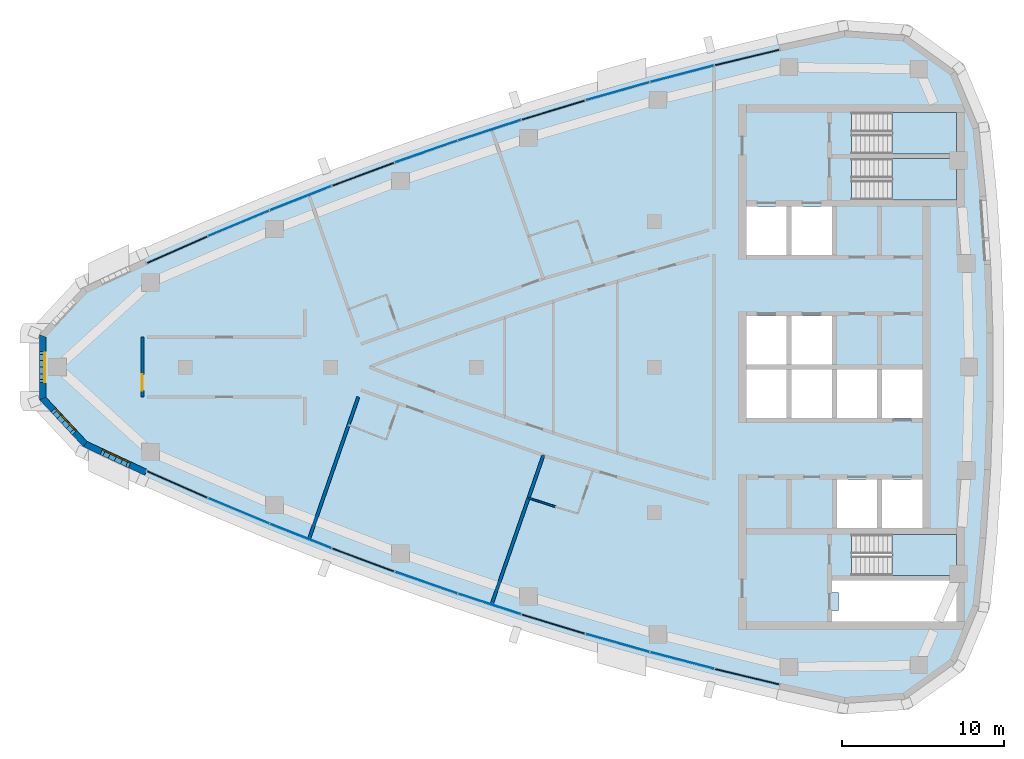
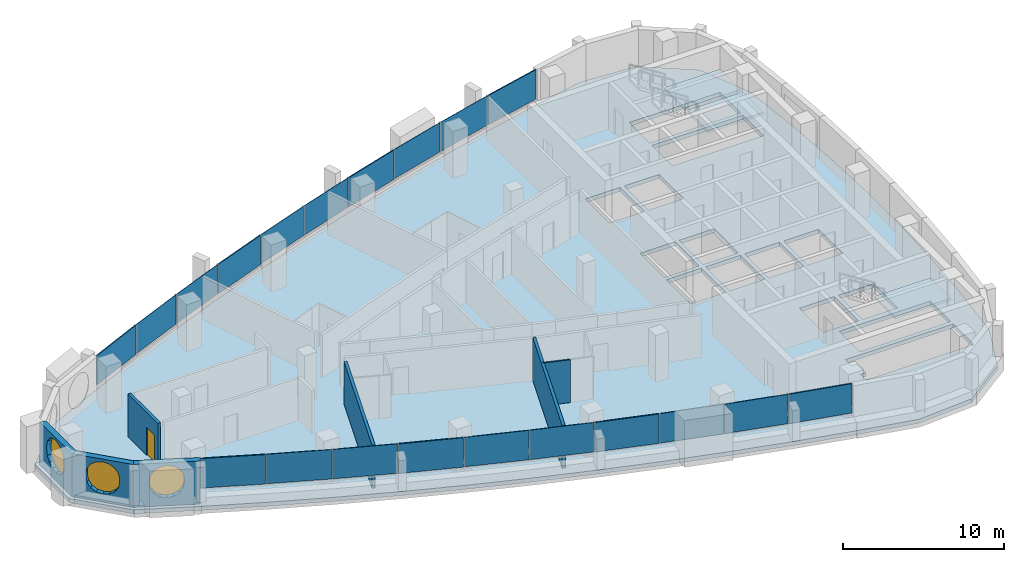
# One storey, part 6 of 14: 20 plates, 7 walls, 4 slabs, 3 windows, 1 door, 5 openings, 13 elements without a shape of their own.
"""IFC4 building model written with IfcOpenShell, lengths in metres."""

from ifc_helpers import new_model, si_unit, direction, frame, frame_2d, origin, origin_2d, place, context, subcontext, project, spatial, polyline, rectangle, outline, extrude, material, layer, layer_set, type_object, element, fill, aggregate, save


model = new_model("IFC4")

# Units and contexts
model_context = context("Model", 3, precision=1e-05, world=origin(), true_north=direction((0.0, 1.0)))
body_context = subcontext(model_context, "Body", "Model", "MODEL_VIEW")
ifc_project = project(units=[si_unit("LENGTHUNIT", "METRE"), si_unit("AREAUNIT", "SQUARE_METRE"), si_unit("VOLUMEUNIT", "CUBIC_METRE"), si_unit("PLANEANGLEUNIT", "RADIAN"), si_unit("MASSUNIT", "GRAM", prefix="KILO")], contexts=[model_context])

# Site, building, storey
site_placement = place(None, origin())
site = spatial("IfcSite", under=ifc_project, at=site_placement, CompositionType="ELEMENT")
building_placement = place(site_placement, origin())
building = spatial("IfcBuilding", under=site, at=building_placement, Name="Ostrand Prow Hotel Tower", CompositionType="ELEMENT")
storey_placement = place(building_placement, frame((0.0, 0.0, 278.550048828125)))
storey = spatial("IfcBuildingStorey", under=building, at=storey_placement, Name="L70", CompositionType="ELEMENT", Elevation=278.550048828125)

# Curtain wall, plate
ifc_material_1 = material(Name="Insulated glass in bronze anodised frame", Category="glass")
ifc_layer_1 = layer(ifc_material_1, 0.199951171875)
ifc_layer_set_1 = layer_set([ifc_layer_1], Name="Insulated glass in bronze anodised frame")
curtain_wall_type = type_object("IfcCurtainWallType", Name="Strip curtain wall, fritted glass over bronze spandrel", PredefinedType="NOTDEFINED", material=ifc_layer_set_1)
curtain_wall_1_placement = place(storey_placement, origin())
curtain_wall_1 = element("IfcCurtainWall", 1, at=curtain_wall_1_placement, inside=storey, type_object=curtain_wall_type, Name="CW1 run CWS1", PredefinedType="NOTDEFINED")
ifc_material_2 = material(Name="Ceramic-fritted glass", Category="glass")
ifc_layer_2 = layer(ifc_material_2, 0.031982421875)
ifc_layer_set_2 = layer_set([ifc_layer_2], Name="Ceramic-fritted glass")
plate_type_1 = type_object("IfcPlateType", Name="Dot-fritted ceramic glass unit 32 mm", PredefinedType="CURTAIN_PANEL", material=ifc_layer_set_2)
plate_1_placement = place(storey_placement, frame((19.297119140625, -8.893798828125, 1.02001953125), z_axis=(0.0, 0.0, 1.0), x_axis=(0.922719840955, -0.385471263659, 0.0)))
plate_1 = element("IfcPlate", 2, at=plate_1_placement, type_object=plate_type_1, Name="CW1 PN-D panel 2.2", PredefinedType="CURTAIN_PANEL", context=body_context, shape_type="SweptSolid", body=[
    extrude(rectangle(XDim=4.079833984375, YDim=0.031982421875, at=origin_2d()), origin(), (0.0, 0.0, 1.0), 2.22998046875),
])

curtain_wall_2_placement = place(storey_placement, origin())
curtain_wall_2 = element("IfcCurtainWall", 3, at=curtain_wall_2_placement, inside=storey, type_object=curtain_wall_type, Name="CW1 run CWS2", PredefinedType="NOTDEFINED")
plate_2_placement = place(storey_placement, frame((23.132568359375, -10.450927734375, 1.02001953125), z_axis=(0.0, 0.0, 1.0), x_axis=(0.930281895249, -0.366845465248, 0.0)))
plate_2 = element("IfcPlate", 4, at=plate_2_placement, type_object=plate_type_1, Name="CW1 PN-D panel 1.2", PredefinedType="CURTAIN_PANEL", context=body_context, shape_type="SweptSolid", body=[
    extrude(rectangle(XDim=4.079833984375, YDim=0.031982421875, at=origin_2d()), origin(), (0.0, 0.0, 1.0), 2.22998046875),
])

# Curtain wall, plates
curtain_wall_3_placement = place(storey_placement, origin())
curtain_wall_3 = element("IfcCurtainWall", 5, at=curtain_wall_3_placement, inside=storey, type_object=curtain_wall_type, Name="CW1 run CWS3", PredefinedType="NOTDEFINED")
plate_3_placement = place(storey_placement, frame((30.8935546875, -13.33251953125, 1.02001953125), z_axis=(0.0, 0.0, 1.0), x_axis=(0.944274730614, -0.329158370885, 0.0)))
plate_3 = element("IfcPlate", 6, at=plate_3_placement, type_object=plate_type_1, Name="CW1 PN-D panel 1.2", PredefinedType="CURTAIN_PANEL", context=body_context, shape_type="SweptSolid", body=[
    extrude(rectangle(XDim=4.079833984375, YDim=0.031982421875, at=origin_2d()), origin(), (0.0, 0.0, 1.0), 2.22998046875),
])
plate_4_placement = place(storey_placement, frame((34.81591796875, -14.65576171875, 1.02001953125), z_axis=(0.0, 0.0, 1.0), x_axis=(0.950700464612, -0.310110668289, 0.0)))
plate_4 = element("IfcPlate", 7, at=plate_4_placement, type_object=plate_type_1, Name="CW1 PN-D panel 2.2", PredefinedType="CURTAIN_PANEL", context=body_context, shape_type="SweptSolid", body=[
    extrude(rectangle(XDim=4.079833984375, YDim=0.031982421875, at=origin_2d()), origin(), (0.0, 0.0, 1.0), 2.22998046875),
])
aggregate(curtain_wall_3, [plate_3, plate_4])

# Curtain wall, plate
curtain_wall_4_placement = place(storey_placement, origin())
curtain_wall_4 = element("IfcCurtainWall", 8, at=curtain_wall_4_placement, inside=storey, type_object=curtain_wall_type, Name="CW1 run CWS4", PredefinedType="NOTDEFINED")
plate_5_placement = place(storey_placement, frame((42.736572265625, -17.064453125, 1.02001953125), z_axis=(0.0, 0.0, 1.0), x_axis=(0.962396468548, -0.271648738865, 0.0)))
plate_5 = element("IfcPlate", 9, at=plate_5_placement, type_object=plate_type_1, Name="CW1 PN-D panel 2.2", PredefinedType="CURTAIN_PANEL", context=body_context, shape_type="SweptSolid", body=[
    extrude(rectangle(XDim=4.079833984375, YDim=0.031982421875, at=origin_2d()), origin(), (0.0, 0.0, 1.0), 2.22998046875),
])

curtain_wall_5_placement = place(storey_placement, origin())
curtain_wall_5 = element("IfcCurtainWall", 10, at=curtain_wall_5_placement, inside=storey, type_object=curtain_wall_type, Name="CW1 run CWS5", PredefinedType="NOTDEFINED")
plate_6_placement = place(storey_placement, frame((46.731689453125, -18.148681640625, 1.02001953125), z_axis=(0.0, 0.0, 1.0), x_axis=(0.967662519855, -0.252248384867, 0.0)))
plate_6 = element("IfcPlate", 11, at=plate_6_placement, type_object=plate_type_1, Name="CW1 PN-D panel 1.2", PredefinedType="CURTAIN_PANEL", context=body_context, shape_type="SweptSolid", body=[
    extrude(rectangle(XDim=4.079833984375, YDim=0.031982421875, at=origin_2d()), origin(), (0.0, 0.0, 1.0), 2.22998046875),
])

curtain_wall_6_placement = place(storey_placement, origin())
curtain_wall_6 = element("IfcCurtainWall", 12, at=curtain_wall_6_placement, inside=storey, type_object=curtain_wall_type, Name="CW1 run CWN1", PredefinedType="NOTDEFINED")
plate_7_placement = place(storey_placement, frame((46.731689453125, 18.148681640625, 1.02001953125), z_axis=(0.0, 0.0, 1.0), x_axis=(-0.967662519855, -0.252248384867, 0.0)))
plate_7 = element("IfcPlate", 13, at=plate_7_placement, type_object=plate_type_1, Name="CW1 PN-D panel 2.2", PredefinedType="CURTAIN_PANEL", context=body_context, shape_type="SweptSolid", body=[
    extrude(rectangle(XDim=4.079833984375, YDim=0.031982421875, at=origin_2d()), origin(), (0.0, 0.0, 1.0), 2.22998046875),
])

curtain_wall_7_placement = place(storey_placement, origin())
curtain_wall_7 = element("IfcCurtainWall", 14, at=curtain_wall_7_placement, inside=storey, type_object=curtain_wall_type, Name="CW1 run CWN2", PredefinedType="NOTDEFINED")
plate_8_placement = place(storey_placement, frame((42.736572265625, 17.064453125, 1.02001953125), z_axis=(0.0, 0.0, 1.0), x_axis=(-0.962396468548, -0.271648738865, 0.0)))
plate_8 = element("IfcPlate", 15, at=plate_8_placement, type_object=plate_type_1, Name="CW1 PN-D panel 1.2", PredefinedType="CURTAIN_PANEL", context=body_context, shape_type="SweptSolid", body=[
    extrude(rectangle(XDim=4.079833984375, YDim=0.031982421875, at=origin_2d()), origin(), (0.0, 0.0, 1.0), 2.22998046875),
])

# Curtain wall, plates
curtain_wall_8_placement = place(storey_placement, origin())
curtain_wall_8 = element("IfcCurtainWall", 16, at=curtain_wall_8_placement, inside=storey, type_object=curtain_wall_type, Name="CW1 run CWN3", PredefinedType="NOTDEFINED")
plate_9_placement = place(storey_placement, frame((34.81591796875, 14.65576171875, 1.02001953125), z_axis=(0.0, 0.0, 1.0), x_axis=(-0.950700464612, -0.310110668289, 0.0)))
plate_9 = element("IfcPlate", 17, at=plate_9_placement, type_object=plate_type_1, Name="CW1 PN-D panel 1.2", PredefinedType="CURTAIN_PANEL", context=body_context, shape_type="SweptSolid", body=[
    extrude(rectangle(XDim=4.079833984375, YDim=0.031982421875, at=origin_2d()), origin(), (0.0, 0.0, 1.0), 2.22998046875),
])
plate_10_placement = place(storey_placement, frame((30.8935546875, 13.33251953125, 1.02001953125), z_axis=(0.0, 0.0, 1.0), x_axis=(-0.944274730614, -0.329158370885, 0.0)))
plate_10 = element("IfcPlate", 18, at=plate_10_placement, type_object=plate_type_1, Name="CW1 PN-D panel 2.2", PredefinedType="CURTAIN_PANEL", context=body_context, shape_type="SweptSolid", body=[
    extrude(rectangle(XDim=4.079833984375, YDim=0.031982421875, at=origin_2d()), origin(), (0.0, 0.0, 1.0), 2.22998046875),
])
aggregate(curtain_wall_8, [plate_9, plate_10])

# Curtain wall, plate
curtain_wall_9_placement = place(storey_placement, origin())
curtain_wall_9 = element("IfcCurtainWall", 19, at=curtain_wall_9_placement, inside=storey, type_object=curtain_wall_type, Name="CW1 run CWN4", PredefinedType="NOTDEFINED")
plate_11_placement = place(storey_placement, frame((23.132568359375, 10.450927734375, 1.02001953125), z_axis=(0.0, 0.0, 1.0), x_axis=(-0.930281895249, -0.366845465248, 0.0)))
plate_11 = element("IfcPlate", 20, at=plate_11_placement, type_object=plate_type_1, Name="CW1 PN-D panel 2.2", PredefinedType="CURTAIN_PANEL", context=body_context, shape_type="SweptSolid", body=[
    extrude(rectangle(XDim=4.079833984375, YDim=0.031982421875, at=origin_2d()), origin(), (0.0, 0.0, 1.0), 2.22998046875),
])

curtain_wall_10_placement = place(storey_placement, origin())
curtain_wall_10 = element("IfcCurtainWall", 21, at=curtain_wall_10_placement, inside=storey, type_object=curtain_wall_type, Name="CW1 run CWN5", PredefinedType="NOTDEFINED")
plate_12_placement = place(storey_placement, frame((19.297119140625, 8.893798828125, 1.02001953125), z_axis=(0.0, 0.0, 1.0), x_axis=(-0.922719840955, -0.385471263659, 0.0)))
plate_12 = element("IfcPlate", 22, at=plate_12_placement, type_object=plate_type_1, Name="CW1 PN-D panel 1.2", PredefinedType="CURTAIN_PANEL", context=body_context, shape_type="SweptSolid", body=[
    extrude(rectangle(XDim=4.079833984375, YDim=0.031982421875, at=origin_2d()), origin(), (0.0, 0.0, 1.0), 2.22998046875),
])

# Plate
ifc_material_3 = material(Name="Fritted glass in bronze vent frame", Category="glass")
ifc_layer_3 = layer(ifc_material_3, 0.080078125)
ifc_layer_set_3 = layer_set([ifc_layer_3], Name="Fritted glass in bronze vent frame")
plate_type_2 = type_object("IfcPlateType", Name="Operable vent panel 80 mm", PredefinedType="CURTAIN_PANEL", material=ifc_layer_set_3)
plate_13_placement = place(storey_placement, frame((15.493408203125, -7.259765625, 1.02001953125), z_axis=(0.0, 0.0, 1.0), x_axis=(0.914785615941, -0.403939694592, 0.0)))
plate_13 = element("IfcPlate", 23, at=plate_13_placement, type_object=plate_type_2, Name="CW1 PN-O2 panel 1.2", PredefinedType="CURTAIN_PANEL", context=body_context, shape_type="SweptSolid", body=[
    extrude(rectangle(XDim=4.079833984375, YDim=0.080078125, at=origin_2d()), origin(), (0.0, 0.0, 1.0), 2.22998046875),
])

aggregate(curtain_wall_1, [plate_13, plate_1])

plate_14_placement = place(storey_placement, frame((26.99853515625, -11.930908203125, 1.02001953125), z_axis=(0.0, 0.0, 1.0), x_axis=(0.937468017947, -0.348071422738, 0.0)))
plate_14 = element("IfcPlate", 24, at=plate_14_placement, type_object=plate_type_2, Name="CW1 PN-O2 panel 2.2", PredefinedType="CURTAIN_PANEL", context=body_context, shape_type="SweptSolid", body=[
    extrude(rectangle(XDim=4.079833984375, YDim=0.080078125, at=origin_2d()), origin(), (0.0, 0.0, 1.0), 2.22998046875),
])

aggregate(curtain_wall_2, [plate_2, plate_14])

plate_15_placement = place(storey_placement, frame((38.76416015625, -15.89990234375, 1.02001953125), z_axis=(0.0, 0.0, 1.0), x_axis=(0.956742015769, -0.290937648411, 0.0)))
plate_15 = element("IfcPlate", 25, at=plate_15_placement, type_object=plate_type_2, Name="CW1 PN-O2 panel 1.2", PredefinedType="CURTAIN_PANEL", context=body_context, shape_type="SweptSolid", body=[
    extrude(rectangle(XDim=4.079833984375, YDim=0.080078125, at=origin_2d()), origin(), (0.0, 0.0, 1.0), 2.22998046875),
])

aggregate(curtain_wall_4, [plate_15, plate_5])

plate_16_placement = place(storey_placement, frame((50.74755859375, -19.152587890625, 1.02001953125), z_axis=(0.0, 0.0, 1.0), x_axis=(0.972537533869, -0.232746096028, 0.0)))
plate_16 = element("IfcPlate", 26, at=plate_16_placement, type_object=plate_type_2, Name="CW1 PN-O2 panel 2.2", PredefinedType="CURTAIN_PANEL", context=body_context, shape_type="SweptSolid", body=[
    extrude(rectangle(XDim=4.079833984375, YDim=0.080078125, at=origin_2d()), origin(), (0.0, 0.0, 1.0), 2.22998046875),
])

aggregate(curtain_wall_5, [plate_6, plate_16])

plate_17_placement = place(storey_placement, frame((50.74755859375, 19.152587890625, 1.02001953125), z_axis=(0.0, 0.0, 1.0), x_axis=(-0.972537533869, -0.232746096028, 0.0)))
plate_17 = element("IfcPlate", 27, at=plate_17_placement, type_object=plate_type_2, Name="CW1 PN-O2 panel 1.2", PredefinedType="CURTAIN_PANEL", context=body_context, shape_type="SweptSolid", body=[
    extrude(rectangle(XDim=4.079833984375, YDim=0.080078125, at=origin_2d()), origin(), (0.0, 0.0, 1.0), 2.22998046875),
])

aggregate(curtain_wall_6, [plate_17, plate_7])

plate_18_placement = place(storey_placement, frame((38.76416015625, 15.89990234375, 1.02001953125), z_axis=(0.0, 0.0, 1.0), x_axis=(-0.956742015769, -0.290937648411, 0.0)))
plate_18 = element("IfcPlate", 28, at=plate_18_placement, type_object=plate_type_2, Name="CW1 PN-O2 panel 2.2", PredefinedType="CURTAIN_PANEL", context=body_context, shape_type="SweptSolid", body=[
    extrude(rectangle(XDim=4.079833984375, YDim=0.080078125, at=origin_2d()), origin(), (0.0, 0.0, 1.0), 2.22998046875),
])

aggregate(curtain_wall_7, [plate_8, plate_18])

plate_19_placement = place(storey_placement, frame((26.99853515625, 11.930908203125, 1.02001953125), z_axis=(0.0, 0.0, 1.0), x_axis=(-0.937468017947, -0.348071422738, 0.0)))
plate_19 = element("IfcPlate", 29, at=plate_19_placement, type_object=plate_type_2, Name="CW1 PN-O2 panel 1.2", PredefinedType="CURTAIN_PANEL", context=body_context, shape_type="SweptSolid", body=[
    extrude(rectangle(XDim=4.079833984375, YDim=0.080078125, at=origin_2d()), origin(), (0.0, 0.0, 1.0), 2.22998046875),
])

aggregate(curtain_wall_9, [plate_19, plate_11])

plate_20_placement = place(storey_placement, frame((15.493408203125, 7.259765625, 1.02001953125), z_axis=(0.0, 0.0, 1.0), x_axis=(-0.914785615941, -0.403939694592, 0.0)))
plate_20 = element("IfcPlate", 30, at=plate_20_placement, type_object=plate_type_2, Name="CW1 PN-O2 panel 2.2", PredefinedType="CURTAIN_PANEL", context=body_context, shape_type="SweptSolid", body=[
    extrude(rectangle(XDim=4.079833984375, YDim=0.080078125, at=origin_2d()), origin(), (0.0, 0.0, 1.0), 2.22998046875),
])

aggregate(curtain_wall_10, [plate_12, plate_20])

# Slab, opening
ifc_material_4 = material(Name="Concrete C40/50", Category="concrete")
ifc_layer_4 = layer(ifc_material_4, 0.300048828125)
ifc_layer_set_4 = layer_set([ifc_layer_4], Name="Concrete C40/50")
slab_type_1 = type_object("IfcSlabType", Name="PT flat plate 300 C40/50", PredefinedType="FLOOR", material=ifc_layer_set_4)
slab_1_placement = place(storey_placement, frame((0.0, 0.0, -0.300048828125)))
slab_1 = element("IfcSlab", 31, at=slab_1_placement, inside=storey, type_object=slab_type_1, Name="Floor slab L70-1", PredefinedType="FLOOR", context=body_context, shape_type="SweptSolid", body=[
    extrude(outline(polyline([(9.560791015625, 5.168212890625), (13.365478515625, 6.9404296875), (17.1630859375, 8.6171875), (20.993408203125, 10.21728515625), (24.855224609375, 11.740234375), (28.746826171875, 13.185302734375), (32.666748046875, 14.551513671875), (36.61328125, 15.8388671875), (40.5849609375, 17.046630859375), (44.580078125, 18.17431640625), (48.596923828125, 19.221435546875), (52.634033203125, 20.187744140625), (56.72265625, 21.07958984375), (60.634765625, 20.80029296875), (63.84765625, 18.49072265625), (65.35888671875, 14.87060546875), (65.796875, 10.611083984375), (66.0869140625, 6.37158203125), (66.23193359375, 2.124755859375), (66.23193359375, -2.124755859375), (66.0869140625, -6.37158203125), (65.796875, -10.611083984375), (65.35888671875, -14.87060546875), (63.84765625, -18.49072265625), (60.634765625, -20.80029296875), (56.72265625, -21.07958984375), (52.634033203125, -20.187744140625), (48.596923828125, -19.221435546875), (44.580078125, -18.17431640625), (40.5849609375, -17.046630859375), (36.61328125, -15.8388671875), (32.666748046875, -14.551513671875), (28.746826171875, -13.185302734375), (24.855224609375, -11.740234375), (20.993408203125, -10.21728515625), (17.1630859375, -8.6171875), (13.365478515625, -6.9404296875), (9.560791015625, -5.168212890625), (6.71484375, -2.112548828125), (6.71484375, 2.112548828125), (9.560791015625, 5.168212890625)]), holes=[polyline([(50.699951171875, 6.949951171875), (53.199951171875, 6.949951171875), (53.199951171875, 9.949951171875), (50.699951171875, 9.949951171875), (50.699951171875, 6.949951171875)]), polyline([(53.5, 6.949951171875), (56.0, 6.949951171875), (56.0, 9.949951171875), (53.5, 9.949951171875), (53.5, 6.949951171875)]), polyline([(50.699951171875, 0.14990234375), (53.199951171875, 0.14990234375), (53.199951171875, 3.14990234375), (50.699951171875, 3.14990234375), (50.699951171875, 0.14990234375)]), polyline([(53.5, 0.14990234375), (56.0, 0.14990234375), (56.0, 3.14990234375), (53.5, 3.14990234375), (53.5, 0.14990234375)]), polyline([(50.699951171875, -3.14990234375), (53.199951171875, -3.14990234375), (53.199951171875, -0.14990234375), (50.699951171875, -0.14990234375), (50.699951171875, -3.14990234375)]), polyline([(53.5, -3.14990234375), (56.0, -3.14990234375), (56.0, -0.14990234375), (53.5, -0.14990234375), (53.5, -3.14990234375)]), polyline([(56.300048828125, -3.14990234375), (58.800048828125, -3.14990234375), (58.800048828125, -0.14990234375), (56.300048828125, -0.14990234375), (56.300048828125, -3.14990234375)]), polyline([(59.10009765625, -3.14990234375), (61.60009765625, -3.14990234375), (61.60009765625, -0.14990234375), (59.10009765625, -0.14990234375), (59.10009765625, -3.14990234375)]), polyline([(56.300048828125, -9.949951171875), (58.800048828125, -9.949951171875), (58.800048828125, -6.949951171875), (56.300048828125, -6.949951171875), (56.300048828125, -9.949951171875)]), polyline([(59.10009765625, -9.949951171875), (61.60009765625, -9.949951171875), (61.60009765625, -6.949951171875), (59.10009765625, -6.949951171875), (59.10009765625, -9.949951171875)]), polyline([(57.200927734375, 10.35107421875), (57.200927734375, 12.89892578125), (63.718994140625, 12.89892578125), (63.718994140625, 10.35107421875), (57.200927734375, 10.35107421875)]), polyline([(57.200927734375, 13.200927734375), (57.200927734375, 15.7490234375), (63.718994140625, 15.7490234375), (63.718994140625, 13.200927734375), (57.200927734375, 13.200927734375)]), polyline([(57.200927734375, -12.89892578125), (57.200927734375, -10.35107421875), (63.718994140625, -10.35107421875), (63.718994140625, -12.89892578125), (57.200927734375, -12.89892578125)]), polyline([(56.0, -13.949951171875), (56.0, -13.199951171875), (63.719970703125, -13.199951171875), (63.719970703125, -15.75), (56.0, -15.75), (56.0, -15.050048828125), (56.39990234375, -15.050048828125), (56.39990234375, -13.949951171875), (56.0, -13.949951171875)])]), origin(), (0.0, 0.0, 1.0), 0.300048828125),
])
opening_1_placement = place(slab_1_placement, origin())
element("IfcOpeningElement", 32, at=opening_1_placement, cuts=slab_1, Name="Shaft opening 1", PredefinedType="OPENING", context=body_context, shape_type="SweptSolid", body=[
    extrude(outline(polyline([(56.0, -13.949951171875), (56.0, -13.199951171875), (63.719970703125, -13.199951171875), (63.719970703125, -15.75), (56.0, -15.75), (56.0, -15.050048828125), (56.39990234375, -15.050048828125), (56.39990234375, -13.949951171875), (56.0, -13.949951171875)])), origin(), (0.0, 0.0, 1.0), 0.300048828125),
])

# Stair, slab
ifc_material_5 = material(Name="Concrete C40/50", Category="concrete")
stair_type = type_object("IfcStairType", Name="Exit stair 1200 upper zone", PredefinedType="HALF_TURN_STAIR", material=ifc_material_5)
stair_1_placement = place(storey_placement, origin())
stair_1 = element("IfcStair", 33, at=stair_1_placement, inside=storey, type_object=stair_type, Name="L70 ST1C", PredefinedType="HALF_TURN_STAIR")
ifc_material_6 = material(Name="Concrete C40/50", Category="concrete")
ifc_layer_5 = layer(ifc_material_6, 0.199951171875)
ifc_layer_set_5 = layer_set([ifc_layer_5], Name="Concrete C40/50")
slab_type_2 = type_object("IfcSlabType", Name="Stair landing 200 concrete", PredefinedType="LANDING", material=ifc_layer_set_5)
slab_2_placement = place(storey_placement, frame((0.0, 0.0, 1.574951171875)))
slab_2 = element("IfcSlab", 34, at=slab_2_placement, type_object=slab_type_2, Name="ST1C landing 1", PredefinedType="LANDING", context=body_context, shape_type="SweptSolid", body=[
    extrude(outline(polyline([(59.719970703125, 10.35009765625), (63.719970703125, 10.35009765625), (63.719970703125, 12.89990234375), (59.719970703125, 12.89990234375), (59.719970703125, 10.35009765625)])), origin(), (0.0, 0.0, 1.0), 0.199951171875),
])
aggregate(stair_1, [slab_2])

stair_2_placement = place(storey_placement, origin())
stair_2 = element("IfcStair", 35, at=stair_2_placement, inside=storey, type_object=stair_type, Name="L70 ST3C", PredefinedType="HALF_TURN_STAIR")
slab_3_placement = place(storey_placement, frame((0.0, 0.0, 1.574951171875)))
slab_3 = element("IfcSlab", 36, at=slab_3_placement, type_object=slab_type_2, Name="ST3C landing 1", PredefinedType="LANDING", context=body_context, shape_type="SweptSolid", body=[
    extrude(outline(polyline([(59.719970703125, 13.199951171875), (63.719970703125, 13.199951171875), (63.719970703125, 15.75), (59.719970703125, 15.75), (59.719970703125, 13.199951171875)])), origin(), (0.0, 0.0, 1.0), 0.199951171875),
])
aggregate(stair_2, [slab_3])

stair_3_placement = place(storey_placement, origin())
stair_3 = element("IfcStair", 37, at=stair_3_placement, inside=storey, type_object=stair_type, Name="L70 ST2C", PredefinedType="HALF_TURN_STAIR")
slab_4_placement = place(storey_placement, frame((0.0, 0.0, 1.574951171875)))
slab_4 = element("IfcSlab", 38, at=slab_4_placement, type_object=slab_type_2, Name="ST2C landing 1", PredefinedType="LANDING", context=body_context, shape_type="SweptSolid", body=[
    extrude(outline(polyline([(59.719970703125, -12.89990234375), (63.719970703125, -12.89990234375), (63.719970703125, -10.35009765625), (59.719970703125, -10.35009765625), (59.719970703125, -12.89990234375)])), origin(), (0.0, 0.0, 1.0), 0.199951171875),
])
aggregate(stair_3, [slab_4])

# Walls
ifc_material_7 = material(Name="Plasterboard partition")
ifc_layer_6 = layer(ifc_material_7, 0.10009765625)
ifc_layer_set_6 = layer_set([ifc_layer_6], Name="Plasterboard partition")
wall_type_1 = type_object("IfcWallType", Name="Partition 100 bathroom wall", PredefinedType="PARTITIONING", material=ifc_layer_set_6)
wall_1_placement = place(storey_placement, frame((38.88232421875, -8.6376953125, 0.0), z_axis=(0.0, 0.0, 1.0), x_axis=(-0.950684866901, 0.31015848182, 0.0)))
element("IfcWall", 39, at=wall_1_placement, inside=storey, type_object=wall_type_1, Name="BATHROOM WALL", PredefinedType="PARTITIONING", context=body_context, shape_type="SweptSolid", body=[
    extrude(rectangle(XDim=1.739501953125, YDim=0.10009765625, at=frame_2d((0.86962890625, 0.0))), origin(), (0.0, 0.0, 1.0), 3.25),
])
ifc_material_8 = material(Name="Plasterboard partition")
ifc_layer_7 = layer(ifc_material_8, 0.199951171875)
ifc_layer_set_7 = layer_set([ifc_layer_7], Name="Plasterboard partition")
wall_type_2 = type_object("IfcWallType", Name="Partition 200 key partition", PredefinedType="PARTITIONING", material=ifc_layer_set_7)
wall_2_placement = place(storey_placement, frame((23.66845703125, -10.573486328125, 0.0), z_axis=(0.0, 0.0, 1.0), x_axis=(0.327714422317, 0.944776829418, 0.0)))
element("IfcWall", 40, at=wall_2_placement, inside=storey, type_object=wall_type_2, Name="KEY PARTITION", PredefinedType="PARTITIONING", context=body_context, shape_type="SweptSolid", body=[
    extrude(rectangle(XDim=9.2333984375, YDim=0.199951171875, at=frame_2d((4.61669921875, 0.0))), origin(), (0.0, 0.0, 1.0), 3.25),
])
wall_3_placement = place(storey_placement, frame((34.966796875, -14.6181640625, 0.0), z_axis=(0.0, 0.0, 1.0), x_axis=(0.327725028322, 0.94477315045, 0.0)))
element("IfcWall", 41, at=wall_3_placement, inside=storey, type_object=wall_type_2, Name="KEY PARTITION", PredefinedType="PARTITIONING", context=body_context, shape_type="SweptSolid", body=[
    extrude(rectangle(XDim=9.70166015625, YDim=0.199951171875, at=frame_2d((4.850830078125, 0.0))), origin(), (0.0, 0.0, 1.0), 3.25),
])

# Wall, opening, door
ifc_material_9 = material(Name="Plasterboard partition")
ifc_layer_8 = layer(ifc_material_9, 0.199951171875)
ifc_layer_set_8 = layer_set([ifc_layer_8], Name="Plasterboard partition")
wall_type_3 = type_object("IfcWallType", Name="Partition 200 lounge wall", PredefinedType="PARTITIONING", material=ifc_layer_set_8)
wall_4_placement = place(storey_placement, frame((13.337158203125, -1.85009765625, 0.0), z_axis=(0.0, 0.0, 1.0), x_axis=(0.0, 1.0, 0.0)))
wall_4 = element("IfcWall", 42, at=wall_4_placement, inside=storey, type_object=wall_type_3, Name="LOUNGE WALL", PredefinedType="PARTITIONING", context=body_context, shape_type="SweptSolid", body=[
    extrude(rectangle(XDim=3.7001953125, YDim=0.199951171875, at=frame_2d((1.85009765625, 0.0))), origin(), (0.0, 0.0, 1.0), 3.25),
])
opening_2_placement = place(wall_4_placement, frame((0.39990234375, 0.0, 0.0)))
opening_2 = element("IfcOpeningElement", 43, at=opening_2_placement, cuts=wall_4, Name="Opening D1", PredefinedType="OPENING", context=body_context, shape_type="SweptSolid", body=[
    extrude(rectangle(XDim=1.0, YDim=2.10009765625, at=frame_2d((0.5, 1.050048828125))), frame((0.0, 0.10986328125, 0.0), z_axis=(0.0, -1.0, 0.0), x_axis=(1.0, 0.0, 0.0)), (0.0, 0.0, 1.0), 0.219970703125),
])
ifc_material_10 = material(Name="Timber door leaf", Category="wood")
door_type = type_object("IfcDoorType", Name="Guest room door 1000", OperationType="SINGLE_SWING_LEFT", PredefinedType="DOOR", material=ifc_material_10)
door_placement = place(opening_2_placement, origin())
door = element("IfcDoor", 44, at=door_placement, inside=storey, type_object=door_type, Name="DOOR", OperationType="SINGLE_SWING_LEFT", OverallHeight=2.10009765625, OverallWidth=1.0, PredefinedType="DOOR", context=body_context, shape_type="SweptSolid", body=[
    extrude(rectangle(XDim=1.0, YDim=2.10009765625, at=frame_2d((0.5, 1.050048828125))), frame((0.0, 0.02490234375, 0.0), z_axis=(0.0, -1.0, 0.0), x_axis=(1.0, 0.0, 0.0)), (0.0, 0.0, 1.0), 0.050048828125),
])
fill(opening_2, door)

# Wall, opening, window
ifc_material_11 = material(Name="Precast concrete C40/50", Category="concrete")
ifc_layer_9 = layer(ifc_material_11, 0.39990234375)
ifc_layer_set_9 = layer_set([ifc_layer_9], Name="Precast concrete C40/50")
wall_type_4 = type_object("IfcWallType", Name="Stone-faced precast wall 400 mm", PredefinedType="NOTDEFINED", material=ifc_layer_set_9)
wall_5_placement = place(storey_placement, frame((7.167236328125, 1.9345703125, 0.0), z_axis=(0.0, 0.0, 1.0), x_axis=(0.0, -1.0, 0.0)))
wall_5 = element("IfcWall", 45, at=wall_5_placement, inside=storey, type_object=wall_type_4, Name="Stone-faced wall prow 3", PredefinedType="NOTDEFINED", context=body_context, shape_type="SweptSolid", body=[
    extrude(outline(polyline([(-0.07861328125, -0.199951171875), (3.94775390625, -0.199951171875), (3.79052734375, 0.199951171875), (0.07861328125, 0.199951171875), (-0.07861328125, -0.199951171875)])), origin(), (0.0, 0.0, 1.0), 3.25),
])
opening_3_placement = place(wall_5_placement, frame((0.834716796875, 0.0, 0.60009765625)))
opening_3 = element("IfcOpeningElement", 46, at=opening_3_placement, cuts=wall_5, Name="Opening WP1", PredefinedType="OPENING", context=body_context, shape_type="SweptSolid", body=[
    extrude(outline(polyline([(0.0, 1.35009765625), (0.083740234375, 1.77099609375), (0.322265625, 2.127685546875), (0.678955078125, 2.3662109375), (1.10009765625, 2.449951171875), (1.52099609375, 2.3662109375), (1.877685546875, 2.127685546875), (2.1162109375, 1.77099609375), (2.199951171875, 1.35009765625), (2.199951171875, 1.10009765625), (2.1162109375, 0.678955078125), (1.877685546875, 0.322265625), (1.52099609375, 0.083740234375), (1.10009765625, 0.0), (0.678955078125, 0.083740234375), (0.322265625, 0.322265625), (0.083740234375, 0.678955078125), (0.0, 1.099853515625), (0.0, 1.35009765625)])), frame((0.0, 0.2099609375, 0.0), z_axis=(0.0, -1.0, 0.0), x_axis=(1.0, 0.0, 0.0)), (0.0, 0.0, 1.0), 0.419921875),
])
ifc_material_12 = material(Name="Insulated glass in bronze frame", Category="glass")
window_type = type_object("IfcWindowType", Name="Round-ended prow window 2200x2450", PartitioningType="SINGLE_PANEL", PredefinedType="WINDOW", material=ifc_material_12)
window_1_placement = place(opening_3_placement, origin())
window_1 = element("IfcWindow", 47, at=window_1_placement, inside=storey, type_object=window_type, Name="Window prow 3.1", OverallHeight=2.449951171875, OverallWidth=2.199951171875, PartitioningType="SINGLE_PANEL", PredefinedType="WINDOW", context=body_context, shape_type="SweptSolid", body=[
    extrude(outline(polyline([(0.0, 1.35009765625), (0.083740234375, 1.77099609375), (0.322265625, 2.127685546875), (0.678955078125, 2.3662109375), (1.10009765625, 2.449951171875), (1.52099609375, 2.3662109375), (1.877685546875, 2.127685546875), (2.1162109375, 1.77099609375), (2.199951171875, 1.35009765625), (2.199951171875, 1.10009765625), (2.1162109375, 0.678955078125), (1.877685546875, 0.322265625), (1.52099609375, 0.083740234375), (1.10009765625, 0.0), (0.678955078125, 0.083740234375), (0.322265625, 0.322265625), (0.083740234375, 0.678955078125), (0.0, 1.099853515625), (0.0, 1.35009765625)])), frame((0.0, 0.169921875, 0.0), z_axis=(0.0, -1.0, 0.0), x_axis=(1.0, 0.0, 0.0)), (0.0, 0.0, 1.0), 0.06005859375),
])
fill(opening_3, window_1)

wall_6_placement = place(storey_placement, frame((7.167236328125, -1.9345703125, 0.0), z_axis=(0.0, 0.0, 1.0), x_axis=(0.6815467277, -0.73177459505, 0.0)))
wall_6 = element("IfcWall", 48, at=wall_6_placement, inside=storey, type_object=wall_type_4, Name="Stone-faced wall prow 4", PredefinedType="NOTDEFINED", context=body_context, shape_type="SweptSolid", body=[
    extrude(outline(polyline([(-0.07861328125, -0.199951171875), (3.908203125, -0.199951171875), (3.830078125, 0.199951171875), (0.07861328125, 0.199951171875), (-0.07861328125, -0.199951171875)])), origin(), (0.0, 0.0, 1.0), 3.25),
])
opening_4_placement = place(wall_6_placement, frame((0.834716796875, 0.0, 0.60009765625)))
opening_4 = element("IfcOpeningElement", 49, at=opening_4_placement, cuts=wall_6, Name="Opening WP1", PredefinedType="OPENING", context=body_context, shape_type="SweptSolid", body=[
    extrude(outline(polyline([(0.0, 1.35009765625), (0.083740234375, 1.77099609375), (0.322265625, 2.127685546875), (0.678955078125, 2.3662109375), (1.10009765625, 2.449951171875), (1.52099609375, 2.3662109375), (1.877685546875, 2.127685546875), (2.1162109375, 1.77099609375), (2.199951171875, 1.35009765625), (2.199951171875, 1.10009765625), (2.1162109375, 0.678955078125), (1.877685546875, 0.322265625), (1.52099609375, 0.083740234375), (1.10009765625, 0.0), (0.678955078125, 0.083740234375), (0.322265625, 0.322265625), (0.083740234375, 0.678955078125), (0.0, 1.099853515625), (0.0, 1.35009765625)])), frame((0.0, 0.2099609375, 0.0), z_axis=(0.0, -1.0, 0.0), x_axis=(1.0, 0.0, 0.0)), (0.0, 0.0, 1.0), 0.419921875),
])
window_2_placement = place(opening_4_placement, origin())
window_2 = element("IfcWindow", 50, at=window_2_placement, inside=storey, type_object=window_type, Name="Window prow 4.1", OverallHeight=2.449951171875, OverallWidth=2.199951171875, PartitioningType="SINGLE_PANEL", PredefinedType="WINDOW", context=body_context, shape_type="SweptSolid", body=[
    extrude(outline(polyline([(0.0, 1.35009765625), (0.083740234375, 1.77099609375), (0.322265625, 2.127685546875), (0.678955078125, 2.3662109375), (1.10009765625, 2.449951171875), (1.52099609375, 2.3662109375), (1.877685546875, 2.127685546875), (2.1162109375, 1.77099609375), (2.199951171875, 1.35009765625), (2.199951171875, 1.10009765625), (2.1162109375, 0.678955078125), (1.877685546875, 0.322265625), (1.52099609375, 0.083740234375), (1.10009765625, 0.0), (0.678955078125, 0.083740234375), (0.322265625, 0.322265625), (0.083740234375, 0.678955078125), (0.0, 1.099853515625), (0.0, 1.35009765625)])), frame((0.0, 0.169921875, 0.0), z_axis=(0.0, -1.0, 0.0), x_axis=(1.0, 0.0, 0.0)), (0.0, 0.0, 1.0), 0.06005859375),
])
fill(opening_4, window_2)

wall_7_placement = place(storey_placement, frame((9.80419921875, -4.765869140625, 0.0), z_axis=(0.0, 0.0, 1.0), x_axis=(0.906485602396, -0.42223672584, 0.0)))
wall_7 = element("IfcWall", 51, at=wall_7_placement, inside=storey, type_object=wall_type_4, Name="Stone-faced wall prow 5", PredefinedType="NOTDEFINED", context=body_context, shape_type="SweptSolid", body=[
    extrude(outline(polyline([(-0.0390625, -0.199951171875), (4.1416015625, -0.199951171875), (4.1416015625, 0.199951171875), (0.0390625, 0.199951171875), (-0.0390625, -0.199951171875)])), origin(), (0.0, 0.0, 1.0), 3.25),
])
opening_5_placement = place(wall_7_placement, frame((0.970947265625, 0.0, 0.60009765625)))
opening_5 = element("IfcOpeningElement", 52, at=opening_5_placement, cuts=wall_7, Name="Opening WP1", PredefinedType="OPENING", context=body_context, shape_type="SweptSolid", body=[
    extrude(outline(polyline([(0.0, 1.35009765625), (0.083740234375, 1.77099609375), (0.322265625, 2.127685546875), (0.678955078125, 2.3662109375), (1.10009765625, 2.449951171875), (1.52099609375, 2.3662109375), (1.877685546875, 2.127685546875), (2.1162109375, 1.77099609375), (2.199951171875, 1.35009765625), (2.199951171875, 1.10009765625), (2.1162109375, 0.678955078125), (1.877685546875, 0.322265625), (1.52099609375, 0.083740234375), (1.10009765625, 0.0), (0.678955078125, 0.083740234375), (0.322265625, 0.322265625), (0.083740234375, 0.678955078125), (0.0, 1.099853515625), (0.0, 1.35009765625)])), frame((0.0, 0.2099609375, 0.0), z_axis=(0.0, -1.0, 0.0), x_axis=(1.0, 0.0, 0.0)), (0.0, 0.0, 1.0), 0.419921875),
])
window_3_placement = place(opening_5_placement, origin())
window_3 = element("IfcWindow", 53, at=window_3_placement, inside=storey, type_object=window_type, Name="Window prow 5.1", OverallHeight=2.449951171875, OverallWidth=2.199951171875, PartitioningType="SINGLE_PANEL", PredefinedType="WINDOW", context=body_context, shape_type="SweptSolid", body=[
    extrude(outline(polyline([(0.0, 1.35009765625), (0.083740234375, 1.77099609375), (0.322265625, 2.127685546875), (0.678955078125, 2.3662109375), (1.10009765625, 2.449951171875), (1.52099609375, 2.3662109375), (1.877685546875, 2.127685546875), (2.1162109375, 1.77099609375), (2.199951171875, 1.35009765625), (2.199951171875, 1.10009765625), (2.1162109375, 0.678955078125), (1.877685546875, 0.322265625), (1.52099609375, 0.083740234375), (1.10009765625, 0.0), (0.678955078125, 0.083740234375), (0.322265625, 0.322265625), (0.083740234375, 0.678955078125), (0.0, 1.099853515625), (0.0, 1.35009765625)])), frame((0.0, 0.169921875, 0.0), z_axis=(0.0, -1.0, 0.0), x_axis=(1.0, 0.0, 0.0)), (0.0, 0.0, 1.0), 0.06005859375),
])
fill(opening_5, window_3)

save(model, "model.ifc")
